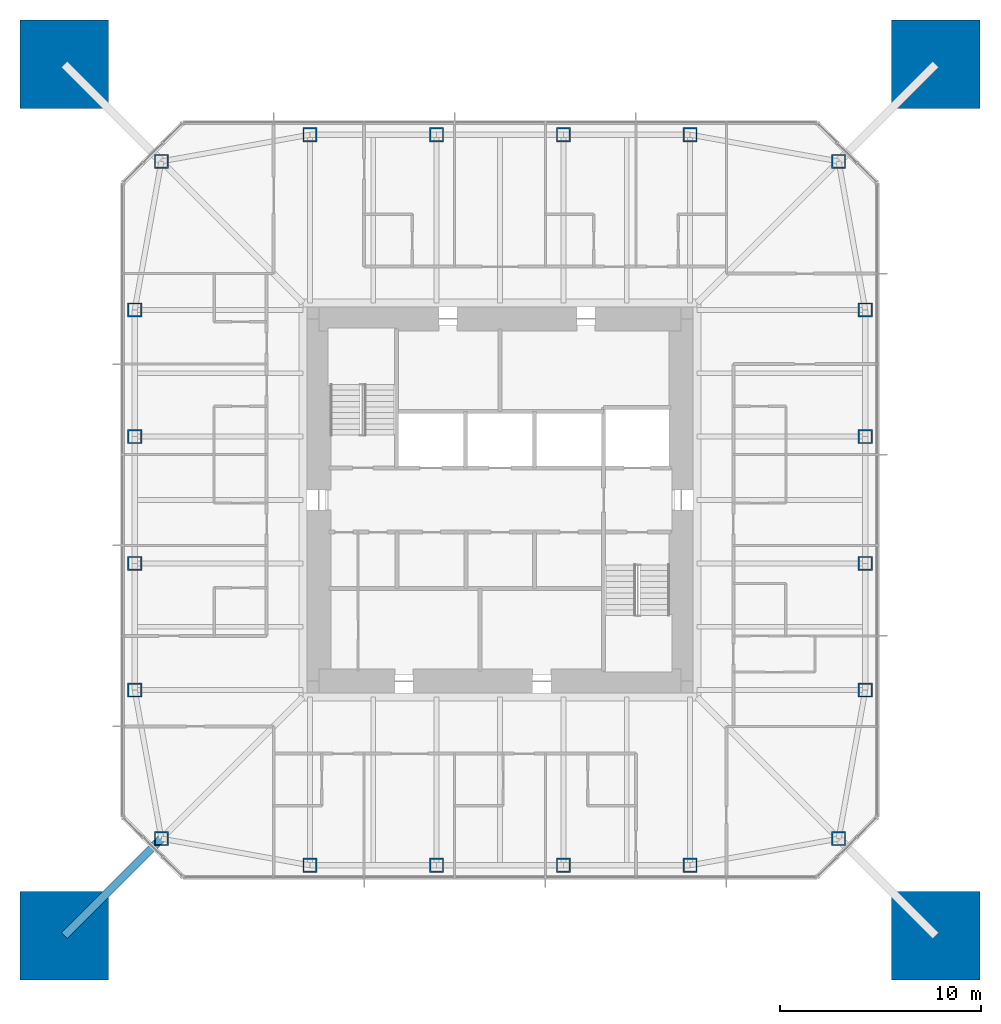
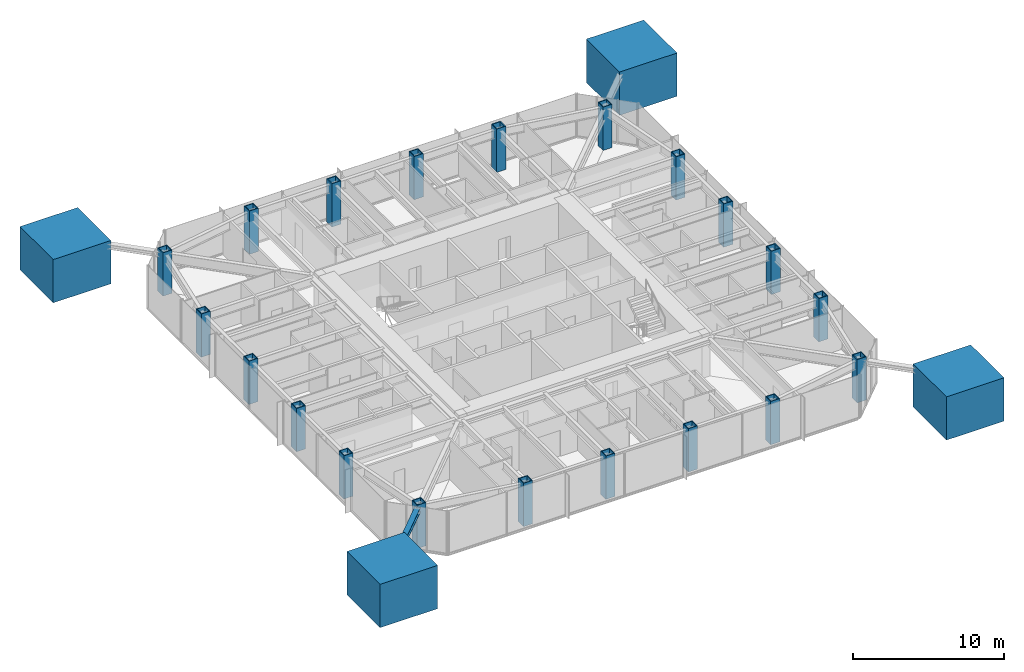
# One storey, part 1 of 12: 24 columns, 1 member.
"""IFC4 building model written with IfcOpenShell, lengths in metres."""

import ifcopenshell
import ifcopenshell.guid

model = None  # the IFC model being written
_history = None  # IfcOwnerHistory: only IFC2X3 demands one
_inside = {}  # id of a spatial element -> (the spatial element, [elements in it])
_under = {}  # id of a project, library or spatial element -> (it, [spatial elements below it])
_declared = {}  # id of a project -> (the project, [libraries it declares])
_typed = {}  # id of a type object -> (the type object, [elements of that type])
_made_of = {}  # id of a material, layer set ... -> (it, [elements and type objects made of it])


def new_model(schema):
    """Start an empty IFC model of exactly this schema.

    Asked for "IFC4X3", IfcOpenShell would pick the latest addendum, in which some entities
    have other attributes; the version numbers below select the first issue.
    IFC2X3 requires an IfcOwnerHistory on every rooted entity: one is made here for all.
    """
    global model, _history
    if schema == "IFC4X3":
        model = ifcopenshell.file(schema_version=(4, 3, 0, 0))
    else:
        model = ifcopenshell.file(schema=schema)
    _inside.clear()
    _under.clear()
    _declared.clear()
    _typed.clear()
    _made_of.clear()
    _history = None
    if model.schema == "IFC2X3":
        org = make("IfcOrganization", Name="unknown")
        user = make(
            "IfcPersonAndOrganization",
            ThePerson=make("IfcPerson", FamilyName="unknown"),
            TheOrganization=org,
        )
        app = make(
            "IfcApplication",
            ApplicationDeveloper=org,
            Version="unknown",
            ApplicationFullName="unknown",
            ApplicationIdentifier="unknown",
        )
        _history = make(
            "IfcOwnerHistory",
            OwningUser=user,
            OwningApplication=app,
            ChangeAction="ADDED",
            CreationDate=0,
        )
    return model


def make(cls, **values):
    """One entity of the class cls with the attributes given. An attribute that is None is left unset."""
    return model.create_entity(
        cls, **{name: value for name, value in values.items() if value is not None}
    )


def rooted(cls, **values):
    """An entity with a GlobalId (a new one), such as an element, a storey or a relation."""
    return make(cls, GlobalId=ifcopenshell.guid.new(), OwnerHistory=_history, **values)


def si_unit(unit_type, name, prefix=None):
    """IfcSIUnit, for example si_unit("LENGTHUNIT", "METRE", prefix="MILLI")."""
    return make("IfcSIUnit", UnitType=unit_type, Prefix=prefix, Name=name)


def assignment(units):
    """IfcUnitAssignment: the units of a project."""
    return None if units is None else make("IfcUnitAssignment", Units=units)


def point(xyz):
    """IfcCartesianPoint."""
    return None if xyz is None else make("IfcCartesianPoint", Coordinates=xyz)


def direction(xyz):
    """IfcDirection."""
    return None if xyz is None else make("IfcDirection", DirectionRatios=xyz)


def frame(location, z_axis=None, x_axis=None):
    """IfcAxis2Placement3D, a coordinate frame: its origin and axes. An axis left out is left unset."""
    return make(
        "IfcAxis2Placement3D",
        Location=point(location),
        Axis=direction(z_axis),
        RefDirection=direction(x_axis),
    )


def frame_2d(location, x_axis=None):
    """IfcAxis2Placement2D, a coordinate frame in the plane: its origin and x axis."""
    return make(
        "IfcAxis2Placement2D", Location=point(location), RefDirection=direction(x_axis)
    )


def origin():
    """The frame at (0, 0, 0) with its axes left unset."""
    return frame((0.0, 0.0, 0.0))


def origin_2d():
    """The frame at (0, 0) in the plane with its x axis left unset."""
    return frame_2d((0.0, 0.0))


def place(relative_to, where):
    """IfcLocalPlacement: puts the frame where relative to a parent placement (None: the world)."""
    return make(
        "IfcLocalPlacement", PlacementRelTo=relative_to, RelativePlacement=where
    )


def context(
    kind, dimensions, precision=None, world=None, true_north=None, identifier=None
):
    """IfcGeometricRepresentationContext, for example the 3D "Model" context."""
    return make(
        "IfcGeometricRepresentationContext",
        ContextIdentifier=identifier,
        ContextType=kind,
        CoordinateSpaceDimension=dimensions,
        Precision=precision,
        WorldCoordinateSystem=world,
        TrueNorth=true_north,
    )


def subcontext(parent, identifier, kind, view, scale=None):
    """IfcGeometricRepresentationSubContext, for example "Body" below "Model"."""
    return make(
        "IfcGeometricRepresentationSubContext",
        ContextIdentifier=identifier,
        ContextType=kind,
        ParentContext=parent,
        TargetScale=scale,
        TargetView=view,
    )


def project(units=None, contexts=None):
    """IfcProject with its units and contexts."""
    return rooted(
        "IfcProject",
        Name="project",
        RepresentationContexts=contexts,
        UnitsInContext=assignment(units),
    )


def spatial(cls, under=None, at=None, **own):
    """A site, building, storey or space (cls), placed at a placement, below another one or the project."""
    s = rooted(cls, ObjectPlacement=at, **own)
    if under is not None:
        _under.setdefault(under.id(), (under, []))[1].append(s)
    return s


def profile(cls, at=None, kind="AREA", **sizes):
    """A parametric profile (cls). Its sizes go by their IFC names, for example OverallWidth=200.0."""
    return make(cls, ProfileType=kind, Position=at, **sizes)


def rectangle(**sizes):
    """IfcRectangleProfileDef."""
    return profile("IfcRectangleProfileDef", **sizes)


def hollow_rectangle(**sizes):
    """IfcRectangleHollowProfileDef."""
    return profile("IfcRectangleHollowProfileDef", **sizes)


def i_section(**sizes):
    """IfcIShapeProfileDef."""
    return profile("IfcIShapeProfileDef", **sizes)


def extrude(swept, where, along, depth):
    """IfcExtrudedAreaSolid: the profile swept, set in the frame where, extruded along a direction by depth."""
    return make(
        "IfcExtrudedAreaSolid",
        SweptArea=swept,
        Position=where,
        ExtrudedDirection=direction(along),
        Depth=depth,
    )


def shape(context_of_items, identifier, shape_type, items):
    """IfcShapeRepresentation: the items that make up one representation, for example the "Body"."""
    return make(
        "IfcShapeRepresentation",
        ContextOfItems=context_of_items,
        RepresentationIdentifier=identifier,
        RepresentationType=shape_type,
        Items=items,
    )


def material(Name=None, Category=None):
    """IfcMaterial."""
    return make("IfcMaterial", Name=Name, Category=Category)


def material_profile(
    of_material, cross_section, Name=None, Category=None, Priority=None
):
    """IfcMaterialProfile: a cross section and its material."""
    return make(
        "IfcMaterialProfile",
        Name=Name,
        Material=of_material,
        Profile=cross_section,
        Priority=Priority,
        Category=Category,
    )


def profile_set(profiles, Name=None, composite=None):
    """IfcMaterialProfileSet."""
    return make(
        "IfcMaterialProfileSet",
        Name=Name,
        MaterialProfiles=profiles,
        CompositeProfile=composite,
    )


def made_of(thing, what):
    """Note that an element or type object is made of a material, layer set ...; save() writes the relation."""
    if what is not None:
        _made_of.setdefault(what.id(), (what, []))[1].append(thing)
    return thing


def type_object(cls, material=None, **own):
    """A type object (cls), such as IfcWallType, which elements share."""
    return made_of(rooted(cls, **own), material)


def element(
    cls,
    number,
    at=None,
    inside=None,
    cuts=None,
    type_object=None,
    material=None,
    context=None,
    identifier="Body",
    shape_type=None,
    held_by="IfcProductDefinitionShape",
    body=None,
    shapes=None,
    **own,
):
    """One element of the class cls, such as IfcWall. Its Tag is "e" and its number.

    at: its placement. inside: the storey or other place that contains it. cuts: it is an
    opening in that element (IfcRelVoidsElement). A single representation is given by context,
    identifier, shape_type and body (its items); several are given by shapes. held_by: the class
    of the entity that holds the representations. save() writes the other relations.
    """
    e = rooted(cls, Tag="e%d" % number, ObjectPlacement=at, **own)
    if body is not None:
        shapes = [shape(context, identifier, shape_type, body)]
    if shapes is not None:
        e.Representation = make(held_by, Representations=shapes)
    if inside is not None:
        _inside.setdefault(inside.id(), (inside, []))[1].append(e)
    if cuts is not None:
        rooted(
            "IfcRelVoidsElement", RelatingBuildingElement=cuts, RelatedOpeningElement=e
        )
    if type_object is not None:
        _typed.setdefault(type_object.id(), (type_object, []))[1].append(e)
    return made_of(e, material)


def aggregate(whole, parts):
    """IfcRelAggregates: a whole, such as a stair, and the parts it consists of."""
    return rooted("IfcRelAggregates", RelatingObject=whole, RelatedObjects=parts)


def save(model, path):
    """Write the relations noted so far, then the file.

    IfcRelAggregates (storeys below a building ...), IfcRelContainedInSpatialStructure (elements
    in a storey), IfcRelDefinesByType, IfcRelAssociatesMaterial and IfcRelDeclares: one each for
    every whole, place, type object, material and project.
    """
    for whole, parts in _under.values():
        aggregate(whole, parts)
    for where, things in _inside.values():
        rooted(
            "IfcRelContainedInSpatialStructure",
            RelatedElements=things,
            RelatingStructure=where,
        )
    for kind, things in _typed.values():
        rooted("IfcRelDefinesByType", RelatedObjects=things, RelatingType=kind)
    for what, things in _made_of.values():
        rooted("IfcRelAssociatesMaterial", RelatedObjects=things, RelatingMaterial=what)
    for by, libraries in _declared.values():
        rooted("IfcRelDeclares", RelatingContext=by, RelatedDefinitions=libraries)
    model.write(path)


model = new_model("IFC4")

# Units and contexts
model_context = context("Model", 3, precision=1e-05, world=origin(), true_north=direction((0.0, 1.0)))
body_context = subcontext(model_context, "Body", "Model", "MODEL_VIEW")
ifc_project = project(units=[si_unit("LENGTHUNIT", "METRE"), si_unit("AREAUNIT", "SQUARE_METRE"), si_unit("VOLUMEUNIT", "CUBIC_METRE"), si_unit("PLANEANGLEUNIT", "RADIAN"), si_unit("MASSUNIT", "GRAM", prefix="KILO")], contexts=[model_context])

# Site, building, storey
site_placement = place(None, origin())
site = spatial("IfcSite", under=ifc_project, at=site_placement, CompositionType="ELEMENT")
building_placement = place(site_placement, origin())
building = spatial("IfcBuilding", under=site, at=building_placement, Name="Iwan Alto Co-Living Towers", CompositionType="ELEMENT")
storey_placement = place(building_placement, frame((0.0, 0.0, 153.0)))
storey = spatial("IfcBuildingStorey", under=building, at=storey_placement, Name="L41", CompositionType="ELEMENT", Elevation=153.0)

# Columns
ifc_material_1 = material(Name="Concrete f'c 70 MPa", Category="concrete")
ifc_material_profile_1 = material_profile(ifc_material_1, rectangle(XDim=4.39990234375, YDim=4.39990234375, at=origin_2d()), Name="RC 4400X4400")
ifc_profile_set_1 = profile_set([ifc_material_profile_1], Name="Concrete f'c 70 MPa")
column_type_1 = type_object("IfcColumnType", Name="T1 MEGA COLUMN RC 4400X4400", PredefinedType="COLUMN", material=ifc_profile_set_1)
for number, where, z_axis, x_axis, name in (
    (1, (-21.64990234375, -21.64990234375, 0.0), (0.0, 0.0, 1.0), (1.0, 0.0, 0.0), "T1 mega column SW L41"),
    (2, (21.64990234375, -21.64990234375, 0.0), (0.0, 0.0, 1.0), (1.0, 0.0, 0.0), "T1 mega column SE L41"),
    (3, (21.64990234375, 21.64990234375, 0.0), (0.0, 0.0, 1.0), (1.0, 0.0, 0.0), "T1 mega column NE L41"),
    (4, (-21.64990234375, 21.64990234375, 0.0), (0.0, 0.0, 1.0), (1.0, 0.0, 0.0), "T1 mega column NW L41"),
):
    element("IfcColumn", number, at=place(storey_placement, frame(where, z_axis=z_axis, x_axis=x_axis)), inside=storey, type_object=column_type_1, Name=name, PredefinedType="COLUMN", context=body_context, shape_type="SweptSolid", body=[
        extrude(rectangle(XDim=4.39990234375, YDim=4.39990234375, at=origin_2d()), origin(), (0.0, 0.0, 1.0), 3.5),
        extrude(i_section(OverallWidth=0.4775390625, OverallDepth=0.599365234375, WebThickness=0.10009765625, FlangeThickness=0.139892578125, at=origin_2d()), origin(), (0.0, 0.0, 1.0), 3.5),
    ])
ifc_material_2 = material(Name="Steel ASTM A572 Gr 50", Category="steel")
ifc_material_profile_2 = material_profile(ifc_material_2, hollow_rectangle(XDim=0.699951171875, YDim=0.699951171875, WallThickness=0.06005859375, at=origin_2d()), Name="BOX 700X700X60")
ifc_profile_set_2 = profile_set([ifc_material_profile_2], Name="Steel ASTM A572 Gr 50")
column_type_2 = type_object("IfcColumnType", Name="T1 RING COLUMN BOX 700X700X60", PredefinedType="COLUMN", material=ifc_profile_set_2)
for number, where, z_axis, x_axis, name in (
    (5, (-16.82568359375, -16.82568359375, 0.0), (0.0, 0.0, 1.0), (1.0, 0.0, 0.0), "T1 ring column CSW L41"),
    (6, (-9.449951171875, -18.14990234375, 0.0), (0.0, 0.0, 1.0), (1.0, 0.0, 0.0), "T1 ring column S1 L41"),
    (7, (-3.14990234375, -18.14990234375, 0.0), (0.0, 0.0, 1.0), (1.0, 0.0, 0.0), "T1 ring column S2 L41"),
    (8, (3.14990234375, -18.14990234375, 0.0), (0.0, 0.0, 1.0), (1.0, 0.0, 0.0), "T1 ring column S3 L41"),
    (9, (9.449951171875, -18.14990234375, 0.0), (0.0, 0.0, 1.0), (1.0, 0.0, 0.0), "T1 ring column S4 L41"),
    (10, (16.82568359375, -16.82568359375, 0.0), (0.0, 0.0, 1.0), (1.0, 0.0, 0.0), "T1 ring column CSE L41"),
    (11, (18.14990234375, -9.449951171875, 0.0), (0.0, 0.0, 1.0), (1.0, 0.0, 0.0), "T1 ring column E1 L41"),
    (12, (18.14990234375, -3.14990234375, 0.0), (0.0, 0.0, 1.0), (1.0, 0.0, 0.0), "T1 ring column E2 L41"),
    (13, (18.14990234375, 3.14990234375, 0.0), (0.0, 0.0, 1.0), (1.0, 0.0, 0.0), "T1 ring column E3 L41"),
    (14, (18.14990234375, 9.449951171875, 0.0), (0.0, 0.0, 1.0), (1.0, 0.0, 0.0), "T1 ring column E4 L41"),
    (15, (16.82568359375, 16.82568359375, 0.0), (0.0, 0.0, 1.0), (1.0, 0.0, 0.0), "T1 ring column CNE L41"),
    (16, (9.449951171875, 18.14990234375, 0.0), (0.0, 0.0, 1.0), (1.0, 0.0, 0.0), "T1 ring column N1 L41"),
    (17, (3.14990234375, 18.14990234375, 0.0), (0.0, 0.0, 1.0), (1.0, 0.0, 0.0), "T1 ring column N2 L41"),
    (18, (-3.14990234375, 18.14990234375, 0.0), (0.0, 0.0, 1.0), (1.0, 0.0, 0.0), "T1 ring column N3 L41"),
    (19, (-9.449951171875, 18.14990234375, 0.0), (0.0, 0.0, 1.0), (1.0, 0.0, 0.0), "T1 ring column N4 L41"),
    (20, (-16.82568359375, 16.82568359375, 0.0), (0.0, 0.0, 1.0), (1.0, 0.0, 0.0), "T1 ring column CNW L41"),
    (21, (-18.14990234375, 9.449951171875, 0.0), (0.0, 0.0, 1.0), (1.0, 0.0, 0.0), "T1 ring column W1 L41"),
    (22, (-18.14990234375, 3.14990234375, 0.0), (0.0, 0.0, 1.0), (1.0, 0.0, 0.0), "T1 ring column W2 L41"),
    (23, (-18.14990234375, -3.14990234375, 0.0), (0.0, 0.0, 1.0), (1.0, 0.0, 0.0), "T1 ring column W3 L41"),
    (24, (-18.14990234375, -9.449951171875, 0.0), (0.0, 0.0, 1.0), (1.0, 0.0, 0.0), "T1 ring column W4 L41"),
):
    element("IfcColumn", number, at=place(storey_placement, frame(where, z_axis=z_axis, x_axis=x_axis)), inside=storey, type_object=column_type_2, Name=name, PredefinedType="COLUMN", context=body_context, shape_type="SweptSolid", body=[
        extrude(hollow_rectangle(XDim=0.699951171875, YDim=0.699951171875, WallThickness=0.06005859375, at=origin_2d()), origin(), (0.0, 0.0, 1.0), 3.5),
    ])

# Member
ifc_material_3 = material(Name="Steel ASTM A992 Gr 50", Category="steel")
ifc_material_profile_3 = material_profile(ifc_material_3, i_section(OverallWidth=0.393798828125, OverallDepth=0.3759765625, WebThickness=0.017333984375, FlangeThickness=0.027587890625, at=origin_2d()), Name="W14X145")
ifc_profile_set_3 = profile_set([ifc_material_profile_3], Name="Steel ASTM A992 Gr 50")
member_type = type_object("IfcMemberType", Name="T1 MEGA COLUMN FLOOR TIE W14X145", PredefinedType="STRUT", material=ifc_profile_set_3)
member_placement = place(storey_placement, frame((-21.64990234375, -21.64990234375, 3.08203125), z_axis=(0.707106781187, 0.707106781187, 0.0), x_axis=(-0.707106781187, 0.707106781187, 0.0)))
element("IfcMember", 25, at=member_placement, inside=storey, type_object=member_type, Name="T1 mega column floor tie SW L42", PredefinedType="STRUT", context=body_context, shape_type="SweptSolid", body=[
    extrude(i_section(OverallWidth=0.393798828125, OverallDepth=0.3759765625, WebThickness=0.017333984375, FlangeThickness=0.027587890625, at=origin_2d()), origin(), (0.0, 0.0, 1.0), 6.822509765625),
])

save(model, "model.ifc")
